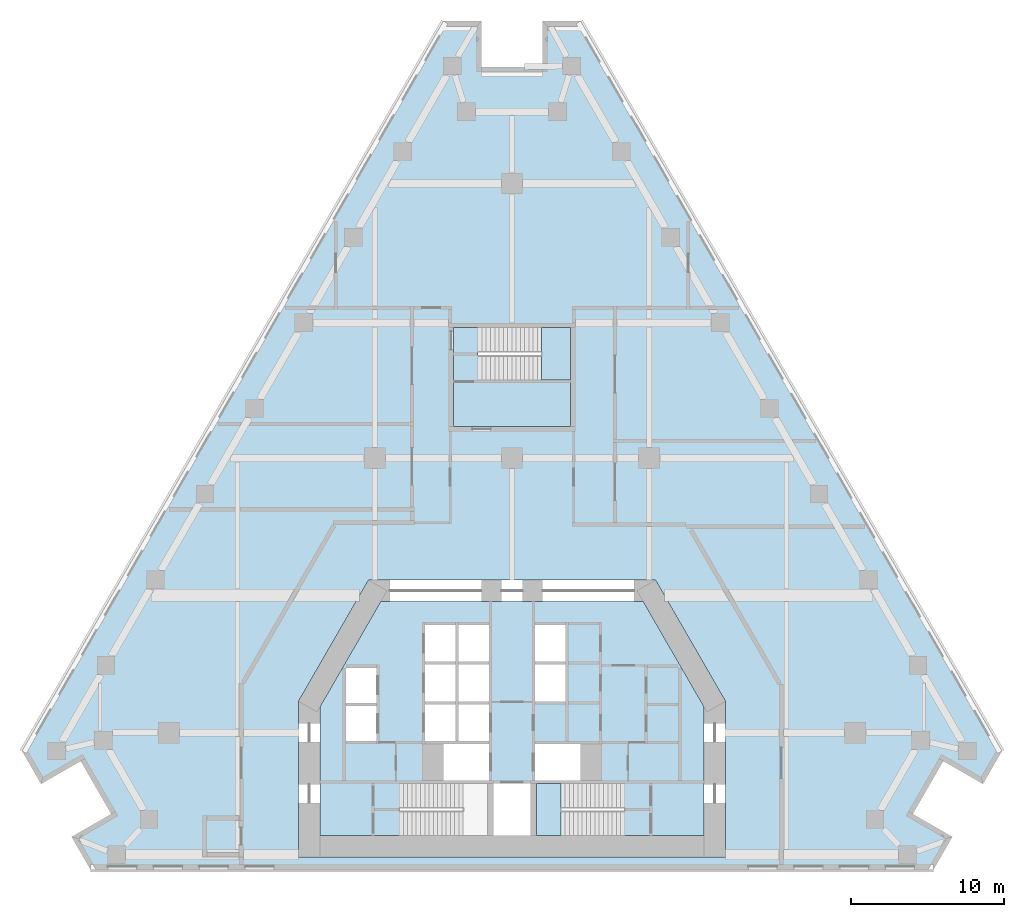
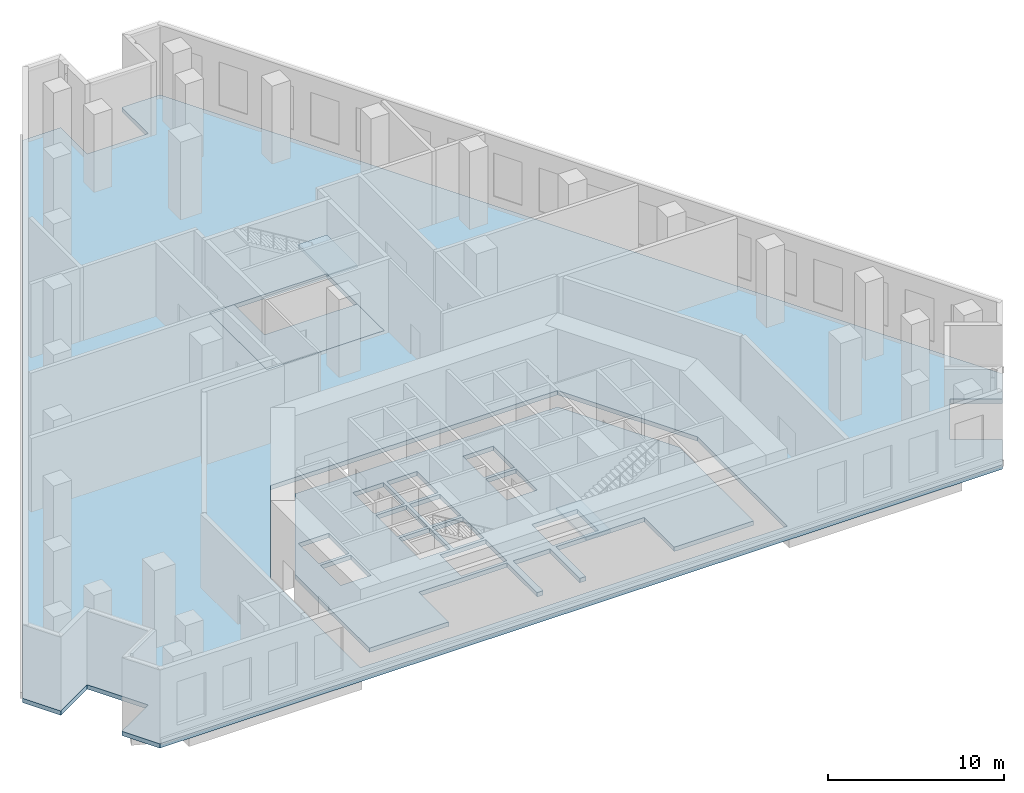
# One storey, part 2 of 10: 5 slabs, 2 elements without a shape of their own.
"""IFC4 building model written with IfcOpenShell, lengths in metres."""

from ifc_helpers import new_model, si_unit, direction, frame, origin, place, context, subcontext, project, spatial, polyline, outline, extrude, material, layer, layer_set, type_object, element, aggregate, save


model = new_model("IFC4")

# Units and contexts
model_context = context("Model", 3, precision=1e-05, world=origin(), true_north=direction((0.0, 1.0)))
body_context = subcontext(model_context, "Body", "Model", "MODEL_VIEW")
ifc_project = project(units=[si_unit("LENGTHUNIT", "METRE"), si_unit("AREAUNIT", "SQUARE_METRE"), si_unit("VOLUMEUNIT", "CUBIC_METRE"), si_unit("PLANEANGLEUNIT", "RADIAN"), si_unit("MASSUNIT", "GRAM", prefix="KILO")], contexts=[model_context])

# Site, building, storey
site_placement = place(None, origin())
site = spatial("IfcSite", under=ifc_project, at=site_placement, CompositionType="ELEMENT")
building_placement = place(site_placement, origin())
building = spatial("IfcBuilding", under=site, at=building_placement, Name="Fogline Exchange Tower", CompositionType="ELEMENT")
storey_placement = place(building_placement, frame((0.0, 0.0, 47.5)))
storey = spatial("IfcBuildingStorey", under=building, at=storey_placement, Name="L09", CompositionType="ELEMENT", Elevation=47.5)

# Slabs
ifc_material = material(Name="Concrete C40", Category="concrete")
ifc_layer_1 = layer(ifc_material, 0.300048828125)
ifc_layer_set_1 = layer_set([ifc_layer_1], Name="S04")
slab_type_1 = type_object("IfcSlabType", Name="S04", PredefinedType="FLOOR", material=ifc_layer_set_1)
slab_1_placement = place(storey_placement, frame((0.0, 0.0, -0.300048828125)))
element("IfcSlab", 1, at=slab_1_placement, inside=storey, type_object=slab_type_1, Name="SLAB L09", PredefinedType="FLOOR", context=body_context, shape_type="SweptSolid", body=[
    extrude(outline(polyline([(-2.0, 55.646728515625), (-4.5, 55.646728515625), (-32.127685546875, 7.794189453125), (-30.877685546875, 5.629150390625), (-28.279541015625, 7.129150390625), (-26.279541015625, 3.6650390625), (-28.877685546875, 2.1650390625), (-27.627685546875, 0.0), (27.627685546875, 0.0), (28.877685546875, 2.1650390625), (26.279541015625, 3.6650390625), (28.279541015625, 7.129150390625), (30.877685546875, 5.629150390625), (32.127685546875, 7.794189453125), (4.5, 55.646728515625), (2.0, 55.646728515625), (2.0, 52.646728515625), (-2.0, 52.646728515625), (-2.0, 55.646728515625)]), holes=[polyline([(14.0, 11.052490234375), (14.0, 0.85009765625), (-14.0, 0.85009765625), (-14.0, 11.052490234375), (-9.41162109375, 19.0), (9.41162109375, 19.0), (14.0, 11.052490234375)]), polyline([(3.85009765625, 35.556884765625), (3.85009765625, 29.056884765625), (-3.85009765625, 29.056884765625), (-3.85009765625, 35.556884765625), (3.85009765625, 35.556884765625)])]), origin(), (0.0, 0.0, 1.0), 0.300048828125),
])
slab_2_placement = place(storey_placement, frame((0.0, 0.0, -0.300048828125)))
element("IfcSlab", 2, at=slab_2_placement, inside=storey, type_object=slab_type_1, Name="Core floor slab", PredefinedType="FLOOR", context=body_context, shape_type="SweptSolid", body=[
    extrude(outline(polyline([(-12.60009765625, 2.25), (-12.60009765625, 10.677490234375), (-8.603271484375, 17.60009765625), (8.603271484375, 17.60009765625), (12.60009765625, 10.677490234375), (12.60009765625, 2.25), (7.389892578125, 2.25), (7.389892578125, 5.64990234375), (1.60009765625, 5.64990234375), (1.60009765625, 2.25), (1.199951171875, 2.25), (1.199951171875, 5.64990234375), (-1.199951171875, 5.64990234375), (-1.199951171875, 2.25), (-1.60009765625, 2.25), (-1.60009765625, 5.64990234375), (-7.389892578125, 5.64990234375), (-7.389892578125, 2.25), (-12.60009765625, 2.25)]), holes=[polyline([(-1.5, 8.25), (-4.5, 8.25), (-4.5, 5.85009765625), (-1.5, 5.85009765625), (-1.5, 8.25)]), polyline([(-8.89990234375, 10.75), (-10.89990234375, 10.75), (-10.89990234375, 8.449951171875), (-8.89990234375, 8.449951171875), (-8.89990234375, 10.75)]), polyline([(-3.699951171875, 10.85009765625), (-5.699951171875, 10.85009765625), (-5.699951171875, 8.449951171875), (-3.699951171875, 8.449951171875), (-3.699951171875, 10.85009765625)]), polyline([(-1.5, 10.85009765625), (-3.5, 10.85009765625), (-3.5, 8.449951171875), (-1.5, 8.449951171875), (-1.5, 10.85009765625)]), polyline([(-8.89990234375, 13.25), (-10.89990234375, 13.25), (-10.89990234375, 10.949951171875), (-8.89990234375, 10.949951171875), (-8.89990234375, 13.25)]), polyline([(-3.699951171875, 13.449951171875), (-5.699951171875, 13.449951171875), (-5.699951171875, 11.050048828125), (-3.699951171875, 11.050048828125), (-3.699951171875, 13.449951171875)]), polyline([(-3.699951171875, 16.050048828125), (-5.699951171875, 16.050048828125), (-5.699951171875, 13.64990234375), (-3.699951171875, 13.64990234375), (-3.699951171875, 16.050048828125)]), polyline([(4.5, 8.25), (1.5, 8.25), (1.5, 5.85009765625), (4.5, 5.85009765625), (4.5, 8.25)]), polyline([(-1.5, 13.449951171875), (-3.5, 13.449951171875), (-3.5, 11.050048828125), (-1.5, 11.050048828125), (-1.5, 13.449951171875)]), polyline([(3.5, 13.449951171875), (1.5, 13.449951171875), (1.5, 11.050048828125), (3.5, 11.050048828125), (3.5, 13.449951171875)]), polyline([(-1.5, 16.050048828125), (-3.5, 16.050048828125), (-3.5, 13.64990234375), (-1.5, 13.64990234375), (-1.5, 16.050048828125)]), polyline([(3.5, 16.050048828125), (1.5, 16.050048828125), (1.5, 13.64990234375), (3.5, 13.64990234375), (3.5, 16.050048828125)])]), origin(), (0.0, 0.0, 1.0), 0.300048828125),
])
slab_3_placement = place(storey_placement, frame((0.0, 0.0, -0.300048828125)))
element("IfcSlab", 3, at=slab_3_placement, inside=storey, type_object=slab_type_1, Name="Stair enclosure floor slab", PredefinedType="FLOOR", context=body_context, shape_type="SweptSolid", body=[
    extrude(outline(polyline([(3.85009765625, 29.056884765625), (-3.85009765625, 29.056884765625), (-3.85009765625, 35.556884765625), (-2.239990234375, 35.556884765625), (-2.239990234375, 32.10693359375), (3.85009765625, 32.10693359375), (3.85009765625, 29.056884765625)])), origin(), (0.0, 0.0, 1.0), 0.300048828125),
])

# Stair, slab
stair_type = type_object("IfcStairType", Name="STR32-1688", PredefinedType="HALF_TURN_STAIR", material=ifc_material)
stair_1_placement = place(storey_placement, origin())
stair_1 = element("IfcStair", 4, at=stair_1_placement, inside=storey, type_object=stair_type, Name="Stair ST2", PredefinedType="HALF_TURN_STAIR")
ifc_layer_2 = layer(ifc_material, 0.199951171875)
ifc_layer_set_2 = layer_set([ifc_layer_2], Name="SL200")
slab_type_2 = type_object("IfcSlabType", Name="SL200", PredefinedType="LANDING", material=ifc_layer_set_2)
slab_4_placement = place(storey_placement, frame((0.0, 0.0, 2.5)))
slab_4 = element("IfcSlab", 5, at=slab_4_placement, type_object=slab_type_2, Name="ST2 landing 1", PredefinedType="LANDING", context=body_context, shape_type="SweptSolid", body=[
    extrude(outline(polyline([(1.60009765625, 2.25), (3.199951171875, 2.25), (3.199951171875, 5.64990234375), (1.60009765625, 5.64990234375), (1.60009765625, 2.25)])), origin(), (0.0, 0.0, 1.0), 0.199951171875),
])
aggregate(stair_1, [slab_4])

stair_2_placement = place(storey_placement, origin())
stair_2 = element("IfcStair", 6, at=stair_2_placement, inside=storey, type_object=stair_type, Name="Stair ST3", PredefinedType="HALF_TURN_STAIR")
slab_5_placement = place(storey_placement, frame((0.0, 0.0, 2.5)))
slab_5 = element("IfcSlab", 7, at=slab_5_placement, type_object=slab_type_2, Name="ST3 landing 1", PredefinedType="LANDING", context=body_context, shape_type="SweptSolid", body=[
    extrude(outline(polyline([(1.949951171875, 32.10693359375), (3.85009765625, 32.10693359375), (3.85009765625, 35.556884765625), (1.949951171875, 35.556884765625), (1.949951171875, 32.10693359375)])), origin(), (0.0, 0.0, 1.0), 0.199951171875),
])
aggregate(stair_2, [slab_5])

save(model, "model.ifc")
